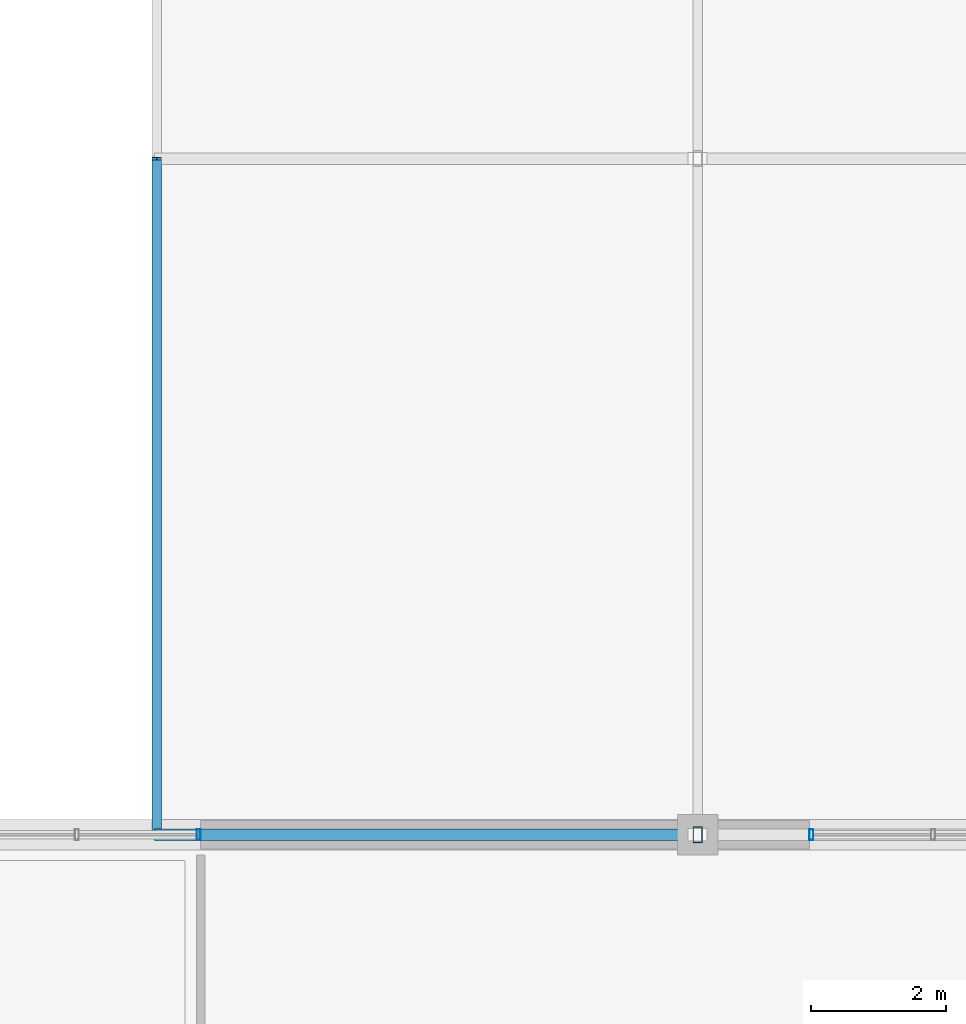
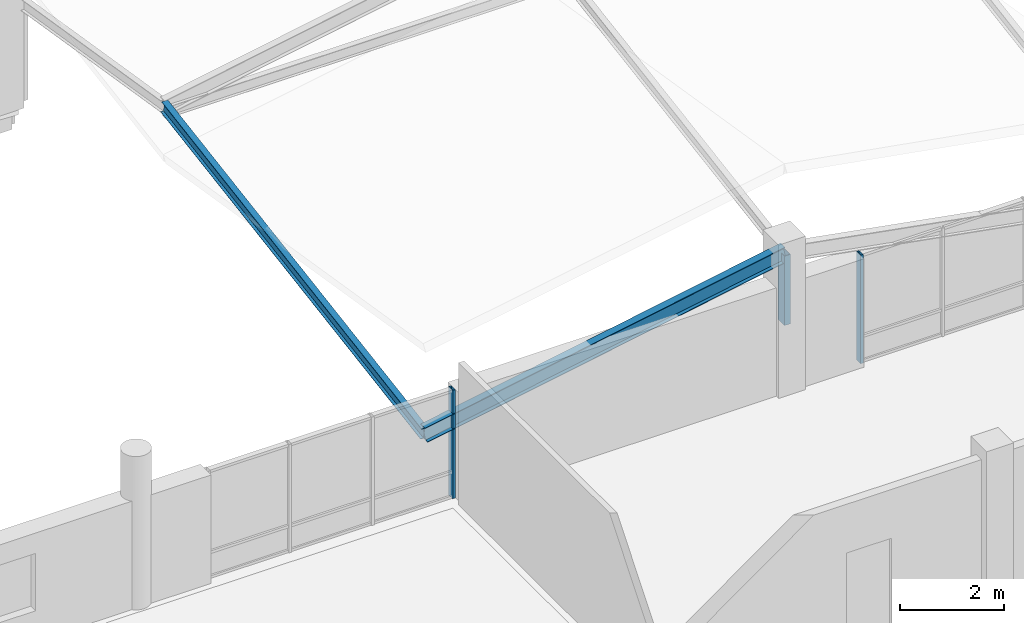
# One storey, part 84 of 189: 5 members, 2 elements without a shape of their own.
"""IFC4 building model written with IfcOpenShell, lengths in metres."""

from ifc_helpers import new_model, si_unit, direction, frame, origin, origin_2d, place, context, subcontext, project, spatial, hollow_rectangle, i_section, extrude, material, material_profile, profile_set, type_object, element, aggregate, save


model = new_model("IFC4")

# Units and contexts
model_context = context("Model", 3, precision=1e-05, world=origin(), true_north=direction((0.0, 1.0)))
body_context = subcontext(model_context, "Body", "Model", "MODEL_VIEW")
ifc_project = project(units=[si_unit("LENGTHUNIT", "METRE"), si_unit("AREAUNIT", "SQUARE_METRE"), si_unit("VOLUMEUNIT", "CUBIC_METRE"), si_unit("PLANEANGLEUNIT", "RADIAN"), si_unit("MASSUNIT", "GRAM", prefix="KILO")], contexts=[model_context])

# Site, building, storey
site_placement = place(None, origin())
site = spatial("IfcSite", under=ifc_project, at=site_placement, CompositionType="ELEMENT")
building_placement = place(site_placement, origin())
building = spatial("IfcBuilding", under=site, at=building_placement, Name="Zavelmont Quarter", CompositionType="ELEMENT")
storey_placement = place(building_placement, frame((0.0, 0.0, 4.39990234375)))
storey = spatial("IfcBuildingStorey", under=building, at=storey_placement, Name="L01", CompositionType="ELEMENT", Elevation=4.39990234375)

# Member
ifc_material_1 = material(Name="Steel S355", Category="steel")
ifc_material_profile_1 = material_profile(ifc_material_1, hollow_rectangle(XDim=0.139892578125, YDim=0.239990234375, WallThickness=0.010009765625, at=origin_2d()), Name="RHS 240X140X10")
ifc_profile_set_1 = profile_set([ifc_material_profile_1], Name="Steel S355")
member_type_1 = type_object("IfcMemberType", Name="CLM1", PredefinedType="CHORD", material=ifc_profile_set_1)
member_1_placement = place(storey_placement, frame((84.0, 86.0, 1.52001953125), z_axis=(0.0, 0.0, 1.0), x_axis=(1.0, 0.0, 0.0)))
element("IfcMember", 1, at=member_1_placement, inside=storey, type_object=member_type_1, Name="L01 member CLM1 13/N to 13/N", PredefinedType="CHORD", context=body_context, shape_type="SweptSolid", body=[
    extrude(hollow_rectangle(XDim=0.139892578125, YDim=0.239990234375, WallThickness=0.010009765625, at=origin_2d()), origin(), (0.0, 0.0, 1.0), 1.630126953125),
])

# Curtain wall, member
ifc_material_2 = material(Name="Thermally broken aluminium and double low-E safety glazing", Category="aluminium")
curtain_wall_type = type_object("IfcCurtainWallType", Name="CW-550X254", PredefinedType="NOTDEFINED", material=ifc_material_2)
curtain_wall_1_placement = place(storey_placement, origin())
curtain_wall_1 = element("IfcCurtainWall", 2, at=curtain_wall_1_placement, inside=storey, type_object=curtain_wall_type, Name="L01 unitised curtain wall CW-550X254", PredefinedType="NOTDEFINED")
ifc_material_3 = material(Name="Powder-coated aluminium EN AW-6063-T6", Category="aluminium")
ifc_material_profile_2 = material_profile(ifc_material_3, hollow_rectangle(XDim=0.06005859375, YDim=0.159912109375, WallThickness=0.00390625, at=origin_2d()), Name="CWM60X160")
ifc_profile_set_2 = profile_set([ifc_material_profile_2], Name="Powder-coated aluminium EN AW-6063-T6")
member_type_2 = type_object("IfcMemberType", Name="CWM01", PredefinedType="MULLION", material=ifc_profile_set_2)
member_2_placement = place(storey_placement, frame((76.6201171875, 86.0, 0.0), z_axis=(0.0, 0.0, 1.0), x_axis=(1.0, 0.0, 0.0)))
member_2 = element("IfcMember", 3, at=member_2_placement, type_object=member_type_2, Name="CW-550X254 mullion 4", PredefinedType="MULLION", context=body_context, shape_type="SweptSolid", body=[
    extrude(hollow_rectangle(XDim=0.06005859375, YDim=0.159912109375, WallThickness=0.00390625, at=origin_2d()), origin(), (0.0, 0.0, 1.0), 2.545166015625),
])
aggregate(curtain_wall_1, [member_2])

curtain_wall_2_placement = place(storey_placement, origin())
curtain_wall_2 = element("IfcCurtainWall", 4, at=curtain_wall_2_placement, inside=storey, type_object=curtain_wall_type, Name="L01 unitised curtain wall CW-550X254", PredefinedType="NOTDEFINED")
member_3_placement = place(storey_placement, frame((85.679931640625, 86.0, 0.0), z_axis=(0.0, 0.0, 1.0), x_axis=(1.0, 0.0, 0.0)))
member_3 = element("IfcMember", 5, at=member_3_placement, type_object=member_type_2, Name="CW-550X254 mullion 1", PredefinedType="MULLION", context=body_context, shape_type="SweptSolid", body=[
    extrude(hollow_rectangle(XDim=0.06005859375, YDim=0.159912109375, WallThickness=0.00390625, at=origin_2d()), origin(), (0.0, 0.0, 1.0), 2.545166015625),
])
aggregate(curtain_wall_2, [member_3])

# Members
ifc_material_profile_3 = material_profile(ifc_material_1, i_section(OverallWidth=0.135009765625, OverallDepth=0.27001953125, WebThickness=0.006591796875, FlangeThickness=0.01025390625, at=origin_2d()), Name="IPE 270")
ifc_profile_set_3 = profile_set([ifc_material_profile_3], Name="Steel S355")
member_type_3 = type_object("IfcMemberType", Name="PR01", PredefinedType="PURLIN", material=ifc_profile_set_3)
member_4_placement = place(storey_placement, frame((76.0, 86.0, 1.7001953125), z_axis=(0.0, 0.987132736639, 0.159902971377), x_axis=(-1.0, 0.0, 0.0)))
element("IfcMember", 6, at=member_4_placement, inside=storey, type_object=member_type_3, Name="L01 member PR01 12/N to 12/P", PredefinedType="PURLIN", context=body_context, shape_type="SweptSolid", body=[
    extrude(i_section(OverallWidth=0.135009765625, OverallDepth=0.27001953125, WebThickness=0.006591796875, FlangeThickness=0.01025390625, at=origin_2d()), origin(), (0.0, 0.0, 1.0), 10.13037109375),
])
ifc_material_profile_4 = material_profile(ifc_material_1, i_section(OverallWidth=0.169921875, OverallDepth=0.360107421875, WebThickness=0.008056640625, FlangeThickness=0.0126953125, at=origin_2d()), Name="IPE 360")
ifc_profile_set_4 = profile_set([ifc_material_profile_4], Name="Steel S355")
member_type_4 = type_object("IfcMemberType", Name="RFM2", PredefinedType="RAFTER", material=ifc_profile_set_4)
member_5_placement = place(storey_placement, frame((76.0, 86.0, 1.7001953125), z_axis=(0.983969211964, 0.0, 0.178338413997), x_axis=(0.0, 1.0, 0.0)))
element("IfcMember", 7, at=member_5_placement, inside=storey, type_object=member_type_4, Name="L01 member RFM2 12/N to 13/N", PredefinedType="RAFTER", context=body_context, shape_type="SweptSolid", body=[
    extrude(i_section(OverallWidth=0.169921875, OverallDepth=0.360107421875, WebThickness=0.008056640625, FlangeThickness=0.0126953125, at=origin_2d()), origin(), (0.0, 0.0, 1.0), 8.13037109375),
])

save(model, "model.ifc")
